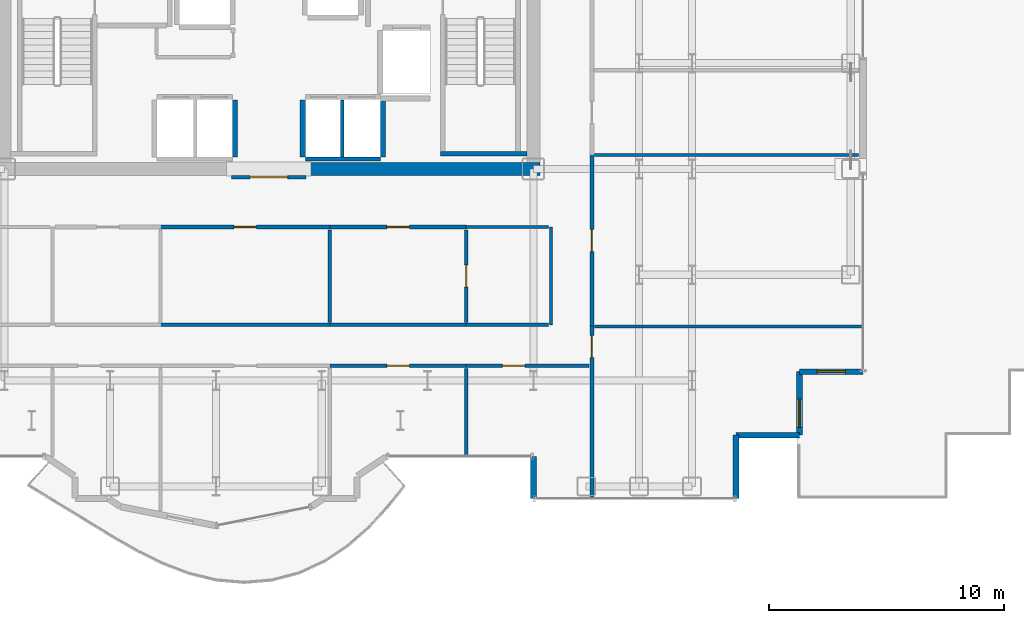
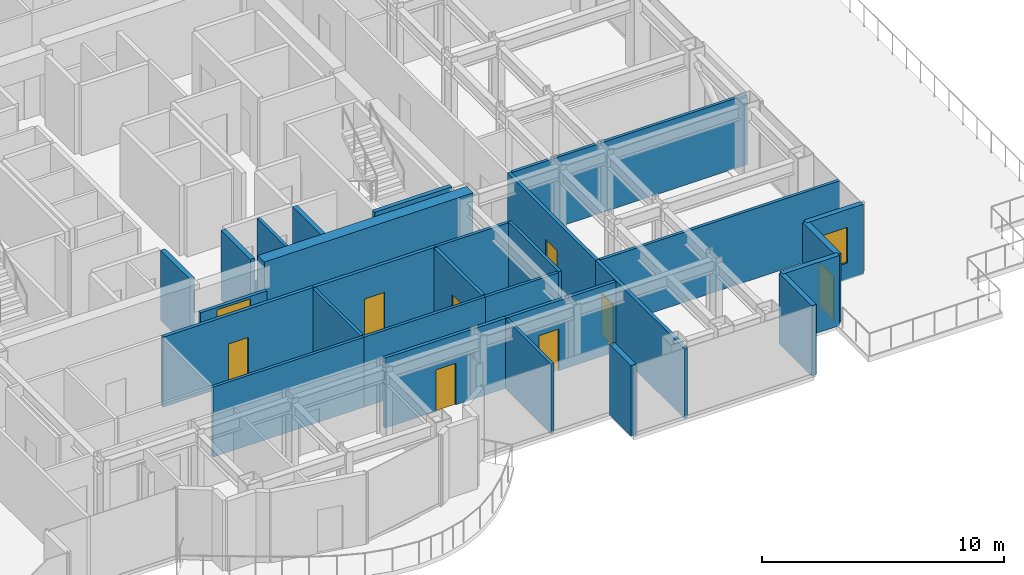
# One storey, part 21 of 27: 29 walls, 9 doors, 1 window, 10 openings.
"""IFC4 building model written with IfcOpenShell, lengths in metres."""

from ifc_helpers import new_model, si_unit, direction, frame, frame_2d, origin, place, context, subcontext, project, spatial, rectangle, extrude, source, transform, mapped, material, layer, layer_set, type_object, element, fill, save


model = new_model("IFC4")

# Units and contexts
model_context = context("Model", 3, precision=1e-05, world=origin(), true_north=direction((0.0, 1.0)))
body_context = subcontext(model_context, "Body", "Model", "MODEL_VIEW")
ifc_project = project(units=[si_unit("LENGTHUNIT", "METRE"), si_unit("AREAUNIT", "SQUARE_METRE"), si_unit("VOLUMEUNIT", "CUBIC_METRE"), si_unit("PLANEANGLEUNIT", "RADIAN"), si_unit("MASSUNIT", "GRAM", prefix="KILO")], contexts=[model_context])

# Site, building, storey
site_placement = place(None, origin())
site = spatial("IfcSite", under=ifc_project, at=site_placement, CompositionType="ELEMENT")
building_placement = place(site_placement, origin())
building = spatial("IfcBuilding", under=site, at=building_placement, Name="Nefas-Gora Pilgrimage Tower", CompositionType="ELEMENT")
storey_placement = place(building_placement, frame((0.0, 0.0, 148.800048828125)))
storey = spatial("IfcBuildingStorey", under=building, at=storey_placement, Name="L36", CompositionType="ELEMENT", Elevation=148.800048828125)

# Walls
ifc_material_1 = material(Name="Concrete C60/75", Category="concrete")
ifc_layer_1 = layer(ifc_material_1, 0.550048828125)
ifc_layer_set_1 = layer_set([ifc_layer_1], Name="Concrete C60/75")
wall_type_1 = type_object("IfcWallType", Name="SW-CORE-550", PredefinedType="SHEAR", material=ifc_layer_set_1)
shared_shape_1 = source(origin(), body_context, "Body", "SweptSolid", [
    extrude(rectangle(XDim=9.974853515625, YDim=0.550048828125, at=frame_2d((4.9873046875, 0.0))), origin(), (0.0, 0.0, 1.0), 3.800048828125),
])
wall_1_placement = place(storey_placement, frame((1.550048828125, -9.0, 0.0), z_axis=(0.0, 0.0, 1.0), x_axis=(1.0, 0.0, 0.0)))
element("IfcWall", 1, at=wall_1_placement, inside=storey, type_object=wall_type_1, Name="L36 Core Shear Wall S-East", PredefinedType="SHEAR", context=body_context, shape_type="MappedRepresentation", body=[
    mapped(shared_shape_1, transform((0.0, 0.0, 0.0), x_axis=(1.0, 0.0, 0.0), y_axis=(0.0, 1.0, 0.0), z_axis=(0.0, 0.0, 1.0), scale=1.0)),
])
ifc_material_2 = material(Name="Precast concrete C40/50", Category="concrete")
ifc_layer_2 = layer(ifc_material_2, 0.260009765625)
ifc_layer_set_2 = layer_set([ifc_layer_2], Name="Precast concrete C40/50")
wall_type_2 = type_object("IfcWallType", Name="EW-PORTAL-260", PredefinedType="SOLIDWALL", material=ifc_layer_set_2)
shared_shape_2 = source(origin(), body_context, "Body", "SweptSolid", [
    extrude(rectangle(XDim=1.800048828125, YDim=0.260009765625, at=frame_2d((0.89990234375, 0.0))), origin(), (0.0, 0.0, 1.0), 3.550048828125),
])
wall_2_placement = place(storey_placement, frame((11.25, -21.219970703125, 0.0), z_axis=(0.0, 0.0, 1.0), x_axis=(0.0, -1.0, 0.0)))
element("IfcWall", 2, at=wall_2_placement, inside=storey, type_object=wall_type_2, Name="L36 Lobe Shoulder Precast Spandrel Pier 5", PredefinedType="SOLIDWALL", context=body_context, shape_type="MappedRepresentation", body=[
    mapped(shared_shape_2, transform((0.0, 0.0, 0.0), x_axis=(1.0, 0.0, 0.0), y_axis=(0.0, 1.0, 0.0), z_axis=(0.0, 0.0, 1.0), scale=1.0)),
])
ifc_material_3 = material(Name="Precast concrete C45/55", Category="concrete")
ifc_layer_3 = layer(ifc_material_3, 0.239990234375)
ifc_layer_set_3 = layer_set([ifc_layer_3], Name="Precast concrete C45/55")
wall_type_3 = type_object("IfcWallType", Name="EW-SERR-240", PredefinedType="SHEAR", material=ifc_layer_set_3)
shared_shape_3 = source(origin(), body_context, "Body", "SweptSolid", [
    extrude(rectangle(XDim=2.699951171875, YDim=0.239990234375, at=frame_2d((1.35009765625, 0.0))), origin(), (0.0, 0.0, 1.0), 3.550048828125),
])
for number, where, z_axis, x_axis, name in (
    (3, (19.8701171875, -23.02001953125, 0.0), (0.0, 0.0, 1.0), (0.0, 1.0, 0.0), "L36 Serrated Corner Shear Pier Wall 6"),
    (4, (19.8701171875, -20.320068359375, 0.0), (0.0, 0.0, 1.0), (1.0, 0.0, 0.0), "L36 Serrated Corner Shear Pier Wall 7"),
):
    element("IfcWall", number, at=place(storey_placement, frame(where, z_axis=z_axis, x_axis=x_axis)), inside=storey, type_object=wall_type_3, Name=name, PredefinedType="SHEAR", context=body_context, shape_type="MappedRepresentation", body=[
        mapped(shared_shape_3, transform((0.0, 0.0, 0.0), x_axis=(1.0, 0.0, 0.0), y_axis=(0.0, 1.0, 0.0), z_axis=(0.0, 0.0, 1.0), scale=1.0)),
    ])

# Wall, opening, window
wall_3_placement = place(storey_placement, frame((22.570068359375, -17.6201171875, 0.0), z_axis=(0.0, 0.0, 1.0), x_axis=(1.0, 0.0, 0.0)))
wall_3 = element("IfcWall", 5, at=wall_3_placement, inside=storey, type_object=wall_type_3, Name="L36 Serrated Corner Shear Pier Wall 9", PredefinedType="SHEAR", context=body_context, shape_type="MappedRepresentation", body=[
    mapped(shared_shape_3, transform((0.0, 0.0, 0.0), x_axis=(1.0, 0.0, 0.0), y_axis=(0.0, 1.0, 0.0), z_axis=(0.0, 0.0, 1.0), scale=1.0)),
])
opening_1_placement = place(wall_3_placement, frame((0.75, 0.0, 0.85009765625)))
opening_1 = element("IfcOpeningElement", 6, at=opening_1_placement, cuts=wall_3, Name="Opening W-V1", PredefinedType="OPENING", context=body_context, shape_type="SweptSolid", body=[
    extrude(rectangle(XDim=1.199951171875, YDim=1.800048828125, at=frame_2d((0.60009765625, 0.89990234375))), frame((0.0, 0.1298828125, 0.0), z_axis=(0.0, -1.0, 0.0), x_axis=(1.0, 0.0, 0.0)), (0.0, 0.0, 1.0), 0.260009765625),
])
ifc_material_4 = material(Name="Dark ceramic-fritted operable aluminium-glass window", Category="aluminium")
window_type = type_object("IfcWindowType", Name="WIN-VENT-1200x1800", PartitioningType="SINGLE_PANEL", PredefinedType="WINDOW", material=ifc_material_4)
shared_shape_4 = source(origin(), body_context, "Body", "SweptSolid", [
    extrude(rectangle(XDim=1.199951171875, YDim=1.800048828125, at=frame_2d((0.60009765625, 0.89990234375))), frame((0.0, 0.030029296875, 0.0), z_axis=(0.0, -1.0, 0.0), x_axis=(1.0, 0.0, 0.0)), (0.0, 0.0, 1.0), 0.06005859375),
])
window_placement = place(opening_1_placement, origin())
window = element("IfcWindow", 7, at=window_placement, inside=storey, type_object=window_type, Name="L36 Operable Parallel-Outswing Window 9", OverallHeight=1.800048828125, OverallWidth=1.199951171875, PartitioningType="SINGLE_PANEL", PredefinedType="WINDOW", context=body_context, shape_type="MappedRepresentation", body=[
    mapped(shared_shape_4, transform((0.0, 0.0, 0.0), x_axis=(1.0, 0.0, 0.0), y_axis=(0.0, 1.0, 0.0), z_axis=(0.0, 0.0, 1.0), scale=1.0)),
])
fill(opening_1, window)

# Wall, opening, door
shared_shape_5 = source(origin(), body_context, "Body", "SweptSolid", [
    extrude(rectangle(XDim=2.699951171875, YDim=0.260009765625, at=frame_2d((1.35009765625, 0.0))), origin(), (0.0, 0.0, 1.0), 3.550048828125),
])
wall_4_placement = place(storey_placement, frame((22.570068359375, -20.320068359375, 0.0), z_axis=(0.0, 0.0, 1.0), x_axis=(0.0, 1.0, 0.0)))
wall_4 = element("IfcWall", 8, at=wall_4_placement, inside=storey, type_object=wall_type_2, Name="L36 Insulated Terrace Portal Wall 8", PredefinedType="SOLIDWALL", context=body_context, shape_type="MappedRepresentation", body=[
    mapped(shared_shape_5, transform((0.0, 0.0, 0.0), x_axis=(1.0, 0.0, 0.0), y_axis=(0.0, 1.0, 0.0), z_axis=(0.0, 0.0, 1.0), scale=1.0)),
])
opening_2_placement = place(wall_4_placement, frame((0.333984375, 0.0, 0.0)))
opening_2 = element("IfcOpeningElement", 9, at=opening_2_placement, cuts=wall_4, Name="Opening ED-S1", PredefinedType="OPENING", context=body_context, shape_type="SweptSolid", body=[
    extrude(rectangle(XDim=1.199951171875, YDim=2.199951171875, at=frame_2d((0.60009765625, 1.10009765625))), frame((0.0, 0.139892578125, 0.0), z_axis=(0.0, -1.0, 0.0), x_axis=(1.0, 0.0, 0.0)), (0.0, 0.0, 1.0), 0.280029296875),
])
ifc_material_5 = material(Name="Heavy-wind glazed aluminium sky-terrace door", Category="aluminium")
door_type_1 = type_object("IfcDoorType", Name="DR-EXT-SKY-1200", OperationType="NOTDEFINED", PredefinedType="DOOR", material=ifc_material_5)
shared_shape_6 = source(origin(), body_context, "Body", "SweptSolid", [
    extrude(rectangle(XDim=1.199951171875, YDim=2.199951171875, at=frame_2d((0.60009765625, 1.10009765625))), frame((0.0, 0.02490234375, 0.0), z_axis=(0.0, -1.0, 0.0), x_axis=(1.0, 0.0, 0.0)), (0.0, 0.0, 1.0), 0.050048828125),
])
door_1_placement = place(opening_2_placement, origin())
door_1 = element("IfcDoor", 10, at=door_1_placement, inside=storey, type_object=door_type_1, Name="L36 Exterior Door (L36 Outdoor Terrace TER-L36-1)", OperationType="SINGLE_SWING_LEFT", OverallHeight=2.199951171875, OverallWidth=1.199951171875, PredefinedType="DOOR", context=body_context, shape_type="MappedRepresentation", body=[
    mapped(shared_shape_6, transform((0.0, 0.0, 0.0), x_axis=(1.0, 0.0, 0.0), y_axis=(0.0, 1.0, 0.0), z_axis=(0.0, 0.0, 1.0), scale=1.0)),
])
fill(opening_2, door_1)

# Walls
ifc_material_6 = material(Name="Concrete C45/55", Category="concrete")
ifc_layer_4 = layer(ifc_material_6, 0.199951171875)
ifc_layer_set_4 = layer_set([ifc_layer_4], Name="Concrete C45/55")
wall_type_4 = type_object("IfcWallType", Name="IW-STAIR-200", PredefinedType="SOLIDWALL", material=ifc_layer_set_4)
shared_shape_7 = source(origin(), body_context, "Body", "SweptSolid", [
    extrude(rectangle(XDim=3.679931640625, YDim=0.199951171875, at=frame_2d((1.83984375, 0.0))), origin(), (0.0, 0.0, 1.0), 3.800048828125),
])
wall_5_placement = place(storey_placement, frame((7.300048828125, -8.35009765625, 0.0), z_axis=(0.0, 0.0, 1.0), x_axis=(1.0, 0.0, 0.0)))
element("IfcWall", 11, at=wall_5_placement, inside=storey, type_object=wall_type_4, Name="L36 Stairwell Shear Wall ST-02-far", PredefinedType="SOLIDWALL", context=body_context, shape_type="MappedRepresentation", body=[
    mapped(shared_shape_7, transform((0.0, 0.0, 0.0), x_axis=(1.0, 0.0, 0.0), y_axis=(0.0, 1.0, 0.0), z_axis=(0.0, 0.0, 1.0), scale=1.0)),
])
ifc_material_7 = material(Name="Gypsum acoustic stud partition")
ifc_layer_5 = layer(ifc_material_7, 0.159912109375)
ifc_layer_set_5 = layer_set([ifc_layer_5], Name="Gypsum acoustic stud partition")
wall_type_5 = type_object("IfcWallType", Name="IW-CORR-160", PredefinedType="PARTITIONING", material=ifc_layer_set_5)
shared_shape_8 = source(origin(), body_context, "Body", "SweptSolid", [
    extrude(rectangle(XDim=3.199951171875, YDim=0.159912109375, at=frame_2d((1.60009765625, 0.0))), origin(), (0.0, 0.0, 1.0), 2.425048828125),
])
wall_6_placement = place(storey_placement, frame((1.550048828125, -8.580078125, 0.0), z_axis=(0.0, 0.0, 1.0), x_axis=(1.0, 0.0, 0.0)))
element("IfcWall", 12, at=wall_6_placement, inside=storey, type_object=wall_type_5, Name="L36 Hoistway Wall PL2-E-S", PredefinedType="PARTITIONING", context=body_context, shape_type="MappedRepresentation", body=[
    mapped(shared_shape_8, transform((0.0, 0.0, 0.0), x_axis=(1.0, 0.0, 0.0), y_axis=(0.0, 1.0, 0.0), z_axis=(0.0, 0.0, 1.0), scale=1.0)),
])
ifc_material_8 = material(Name="Concrete C40/50", Category="concrete")
ifc_layer_6 = layer(ifc_material_8, 0.219970703125)
ifc_layer_set_6 = layer_set([ifc_layer_6], Name="Concrete C40/50")
wall_type_6 = type_object("IfcWallType", Name="IW-SHAFT-220", PredefinedType="SOLIDWALL", material=ifc_layer_set_6)
shared_shape_9 = source(origin(), body_context, "Body", "SweptSolid", [
    extrude(rectangle(XDim=2.429931640625, YDim=0.219970703125, at=frame_2d((1.21484375, 0.0))), origin(), (0.0, 0.0, 1.0), 3.534912109375),
])
for number, where, z_axis, x_axis, name in (
    (13, (-1.43994140625, -8.489990234375, 0.0), (0.0, 0.0, 1.0), (0.0, 1.0, 0.0), "L36 Hoistway Wall PL2-W-E"),
    (14, (1.43994140625, -6.06005859375, 0.0), (0.0, 0.0, 1.0), (0.0, -1.0, 0.0), "L36 Hoistway Wall PL2-E-W"),
    (15, (4.860107421875, -8.489990234375, 0.0), (0.0, 0.0, 1.0), (0.0, 1.0, 0.0), "L36 Hoistway Wall PL2-E-E"),
):
    element("IfcWall", number, at=place(storey_placement, frame(where, z_axis=z_axis, x_axis=x_axis)), inside=storey, type_object=wall_type_6, Name=name, PredefinedType="SOLIDWALL", context=body_context, shape_type="MappedRepresentation", body=[
        mapped(shared_shape_9, transform((0.0, 0.0, 0.0), x_axis=(1.0, 0.0, 0.0), y_axis=(0.0, 1.0, 0.0), z_axis=(0.0, 0.0, 1.0), scale=1.0)),
    ])
ifc_material_9 = material(Name="Gypsum twin-stud partition")
ifc_layer_7 = layer(ifc_material_9, 0.139892578125)
ifc_layer_set_7 = layer_set([ifc_layer_7], Name="Gypsum twin-stud partition")
wall_type_7 = type_object("IfcWallType", Name="IW-UNIT-140", PredefinedType="PARTITIONING", material=ifc_layer_set_7)
shared_shape_10 = source(origin(), body_context, "Body", "SweptSolid", [
    extrude(rectangle(XDim=2.429931640625, YDim=0.139892578125, at=frame_2d((1.21484375, 0.0))), origin(), (0.0, 0.0, 1.0), 3.534912109375),
])
wall_7_placement = place(storey_placement, frame((3.125, -8.489990234375, 0.0), z_axis=(0.0, 0.0, 1.0), x_axis=(0.0, 1.0, 0.0)))
element("IfcWall", 16, at=wall_7_placement, inside=storey, type_object=wall_type_7, Name="L36 Hoistway Wall PL2-E-DIV", PredefinedType="PARTITIONING", context=body_context, shape_type="MappedRepresentation", body=[
    mapped(shared_shape_10, transform((0.0, 0.0, 0.0), x_axis=(1.0, 0.0, 0.0), y_axis=(0.0, 1.0, 0.0), z_axis=(0.0, 0.0, 1.0), scale=1.0)),
])

# Wall, opening, door
shared_shape_11 = source(origin(), body_context, "Body", "SweptSolid", [
    extrude(rectangle(XDim=5.81005859375, YDim=0.159912109375, at=frame_2d((2.905029296875, 0.0))), origin(), (0.0, 0.0, 1.0), 3.534912109375),
])
wall_8_placement = place(storey_placement, frame((2.594970703125, -17.3701171875, 0.0), z_axis=(0.0, 0.0, 1.0), x_axis=(1.0, 0.0, 0.0)))
wall_8 = element("IfcWall", 17, at=wall_8_placement, inside=storey, type_object=wall_type_5, Name="L36 Pilgrim Contemplative Lounge Partition Wall 79", PredefinedType="PARTITIONING", context=body_context, shape_type="MappedRepresentation", body=[
    mapped(shared_shape_11, transform((0.0, 0.0, 0.0), x_axis=(1.0, 0.0, 0.0), y_axis=(0.0, 1.0, 0.0), z_axis=(0.0, 0.0, 1.0), scale=1.0)),
])
opening_3_placement = place(wall_8_placement, frame((2.429931640625, 0.0, 0.0)))
opening_3 = element("IfcOpeningElement", 18, at=opening_3_placement, cuts=wall_8, Name="Opening ID-GR1", PredefinedType="OPENING", context=body_context, shape_type="SweptSolid", body=[
    extrude(rectangle(XDim=0.949951171875, YDim=2.10009765625, at=frame_2d((0.47509765625, 1.050048828125))), frame((0.0, 0.08984375, 0.0), z_axis=(0.0, -1.0, 0.0), x_axis=(1.0, 0.0, 0.0)), (0.0, 0.0, 1.0), 0.179931640625),
])
ifc_material_10 = material(Name="Solid core oak fire-rated guest entrance door")
door_type_2 = type_object("IfcDoorType", Name="DR-INT-GUEST-950", OperationType="NOTDEFINED", PredefinedType="DOOR", material=ifc_material_10)
shared_shape_12 = source(origin(), body_context, "Body", "SweptSolid", [
    extrude(rectangle(XDim=0.949951171875, YDim=2.10009765625, at=frame_2d((0.47509765625, 1.050048828125))), frame((0.0, 0.02490234375, 0.0), z_axis=(0.0, -1.0, 0.0), x_axis=(1.0, 0.0, 0.0)), (0.0, 0.0, 1.0), 0.050048828125),
])
door_2_placement = place(opening_3_placement, origin())
door_2 = element("IfcDoor", 19, at=door_2_placement, inside=storey, type_object=door_type_2, Name="L36 Pilgrim Contemplative Lounge Door 34", OperationType="SINGLE_SWING_RIGHT", OverallHeight=2.10009765625, OverallWidth=0.949951171875, PredefinedType="DOOR", context=body_context, shape_type="MappedRepresentation", body=[
    mapped(shared_shape_12, transform((0.0, 0.0, 0.0), x_axis=(1.0, 0.0, 0.0), y_axis=(0.0, 1.0, 0.0), z_axis=(0.0, 0.0, 1.0), scale=1.0)),
])
fill(opening_3, door_2)

wall_9_placement = place(storey_placement, frame((2.594970703125, -11.469970703125, 0.0), z_axis=(0.0, 0.0, 1.0), x_axis=(1.0, 0.0, 0.0)))
wall_9 = element("IfcWall", 20, at=wall_9_placement, inside=storey, type_object=wall_type_5, Name="L36 Pilgrim Contemplative Lounge Partition Wall 81", PredefinedType="PARTITIONING", context=body_context, shape_type="MappedRepresentation", body=[
    mapped(shared_shape_11, transform((0.0, 0.0, 0.0), x_axis=(1.0, 0.0, 0.0), y_axis=(0.0, 1.0, 0.0), z_axis=(0.0, 0.0, 1.0), scale=1.0)),
])
opening_4_placement = place(wall_9_placement, frame((2.429931640625, 0.0, 0.0)))
opening_4 = element("IfcOpeningElement", 21, at=opening_4_placement, cuts=wall_9, Name="Opening ID-GR1", PredefinedType="OPENING", context=body_context, shape_type="SweptSolid", body=[
    extrude(rectangle(XDim=0.949951171875, YDim=2.10009765625, at=frame_2d((0.47509765625, 1.050048828125))), frame((0.0, 0.08984375, 0.0), z_axis=(0.0, -1.0, 0.0), x_axis=(1.0, 0.0, 0.0)), (0.0, 0.0, 1.0), 0.179931640625),
])
door_3_placement = place(opening_4_placement, origin())
door_3 = element("IfcDoor", 22, at=door_3_placement, inside=storey, type_object=door_type_2, Name="L36 Pilgrim Contemplative Lounge Door 35", OperationType="SINGLE_SWING_LEFT", OverallHeight=2.10009765625, OverallWidth=0.949951171875, PredefinedType="DOOR", context=body_context, shape_type="MappedRepresentation", body=[
    mapped(shared_shape_12, transform((0.0, 0.0, 0.0), x_axis=(1.0, 0.0, 0.0), y_axis=(0.0, 1.0, 0.0), z_axis=(0.0, 0.0, 1.0), scale=1.0)),
])
fill(opening_4, door_3)

shared_shape_13 = source(origin(), body_context, "Body", "SweptSolid", [
    extrude(rectangle(XDim=5.22509765625, YDim=0.159912109375, at=frame_2d((2.612548828125, 0.0))), origin(), (0.0, 0.0, 1.0), 3.534912109375),
])
wall_10_placement = place(storey_placement, frame((8.39501953125, -17.3701171875, 0.0), z_axis=(0.0, 0.0, 1.0), x_axis=(1.0, 0.0, 0.0)))
wall_10 = element("IfcWall", 23, at=wall_10_placement, inside=storey, type_object=wall_type_5, Name="L36 Pilgrim Contemplative Lounge Partition Wall 84", PredefinedType="PARTITIONING", context=body_context, shape_type="MappedRepresentation", body=[
    mapped(shared_shape_13, transform((0.0, 0.0, 0.0), x_axis=(1.0, 0.0, 0.0), y_axis=(0.0, 1.0, 0.0), z_axis=(0.0, 0.0, 1.0), scale=1.0)),
])
opening_5_placement = place(wall_10_placement, frame((1.543212890625, 0.0, 0.0)))
opening_5 = element("IfcOpeningElement", 24, at=opening_5_placement, cuts=wall_10, Name="Opening ID-GR1", PredefinedType="OPENING", context=body_context, shape_type="SweptSolid", body=[
    extrude(rectangle(XDim=0.949951171875, YDim=2.10009765625, at=frame_2d((0.47509765625, 1.050048828125))), frame((0.0, 0.08984375, 0.0), z_axis=(0.0, -1.0, 0.0), x_axis=(1.0, 0.0, 0.0)), (0.0, 0.0, 1.0), 0.179931640625),
])
door_4_placement = place(opening_5_placement, origin())
door_4 = element("IfcDoor", 25, at=door_4_placement, inside=storey, type_object=door_type_2, Name="L36 Pilgrim Contemplative Lounge Door 37", OperationType="SINGLE_SWING_LEFT", OverallHeight=2.10009765625, OverallWidth=0.949951171875, PredefinedType="DOOR", context=body_context, shape_type="MappedRepresentation", body=[
    mapped(shared_shape_12, transform((0.0, 0.0, 0.0), x_axis=(1.0, 0.0, 0.0), y_axis=(0.0, 1.0, 0.0), z_axis=(0.0, 0.0, 1.0), scale=1.0)),
])
fill(opening_5, door_4)

shared_shape_14 = source(origin(), body_context, "Body", "SweptSolid", [
    extrude(rectangle(XDim=3.16015625, YDim=0.159912109375, at=frame_2d((1.580078125, 0.0))), origin(), (0.0, 0.0, 1.0), 2.425048828125),
])
wall_11_placement = place(storey_placement, frame((-1.580078125, -9.35009765625, 0.0), z_axis=(0.0, 0.0, 1.0), x_axis=(1.0, 0.0, 0.0)))
wall_11 = element("IfcWall", 26, at=wall_11_placement, inside=storey, type_object=wall_type_5, Name="L36 Central Lift Lobby South Portal Wall 14", PredefinedType="PARTITIONING", context=body_context, shape_type="MappedRepresentation", body=[
    mapped(shared_shape_14, transform((0.0, 0.0, 0.0), x_axis=(1.0, 0.0, 0.0), y_axis=(0.0, 1.0, 0.0), z_axis=(0.0, 0.0, 1.0), scale=1.0)),
])
opening_6_placement = place(wall_11_placement, frame((0.780029296875, 0.0, 0.0)))
opening_6 = element("IfcOpeningElement", 27, at=opening_6_placement, cuts=wall_11, Name="Opening ID-HL1", PredefinedType="OPENING", context=body_context, shape_type="SweptSolid", body=[
    extrude(rectangle(XDim=1.60009765625, YDim=2.300048828125, at=frame_2d((0.800048828125, 1.14990234375))), frame((0.0, 0.08984375, 0.0), z_axis=(0.0, -1.0, 0.0), x_axis=(1.0, 0.0, 0.0)), (0.0, 0.0, 1.0), 0.179931640625),
])
ifc_material_11 = material(Name="Double acoustic timber assembly hall door", Category="wood")
door_type_3 = type_object("IfcDoorType", Name="DR-INT-HALL-1600", OperationType="DOUBLE_DOOR_SINGLE_SWING", PredefinedType="DOOR", material=ifc_material_11)
shared_shape_15 = source(origin(), body_context, "Body", "SweptSolid", [
    extrude(rectangle(XDim=1.60009765625, YDim=2.300048828125, at=frame_2d((0.800048828125, 1.14990234375))), frame((0.0, 0.02490234375, 0.0), z_axis=(0.0, -1.0, 0.0), x_axis=(1.0, 0.0, 0.0)), (0.0, 0.0, 1.0), 0.050048828125),
])
door_5_placement = place(opening_6_placement, origin())
door_5 = element("IfcDoor", 28, at=door_5_placement, inside=storey, type_object=door_type_3, Name="L36 Central Lift Lobby South Portal Door 5", OperationType="DOUBLE_DOOR_SINGLE_SWING", OverallHeight=2.300048828125, OverallWidth=1.60009765625, PredefinedType="DOOR", context=body_context, shape_type="MappedRepresentation", body=[
    mapped(shared_shape_15, transform((0.0, 0.0, 0.0), x_axis=(1.0, 0.0, 0.0), y_axis=(0.0, 1.0, 0.0), z_axis=(0.0, 0.0, 1.0), scale=1.0)),
])
fill(opening_6, door_5)

shared_shape_16 = source(origin(), body_context, "Body", "SweptSolid", [
    extrude(rectangle(XDim=7.3525390625, YDim=0.159912109375, at=frame_2d((3.67626953125, 0.0))), origin(), (0.0, 0.0, 1.0), 3.534912109375),
])
wall_12_placement = place(storey_placement, frame((13.739990234375, -23.0400390625, 0.0), z_axis=(0.0, 0.0, 1.0), x_axis=(0.0, 1.0, 0.0)))
wall_12 = element("IfcWall", 29, at=wall_12_placement, inside=storey, type_object=wall_type_5, Name="L36 Pilgrim Contemplative Lounge Partition Wall 29", PredefinedType="PARTITIONING", context=body_context, shape_type="MappedRepresentation", body=[
    mapped(shared_shape_16, transform((0.0, 0.0, 0.0), x_axis=(1.0, 0.0, 0.0), y_axis=(0.0, 1.0, 0.0), z_axis=(0.0, 0.0, 1.0), scale=1.0)),
])
opening_7_placement = place(wall_12_placement, frame((6.01611328125, 0.0, 0.0)))
opening_7 = element("IfcOpeningElement", 30, at=opening_7_placement, cuts=wall_12, Name="Opening ID-GR1", PredefinedType="OPENING", context=body_context, shape_type="SweptSolid", body=[
    extrude(rectangle(XDim=0.949951171875, YDim=2.10009765625, at=frame_2d((0.47509765625, 1.050048828125))), frame((0.0, 0.08984375, 0.0), z_axis=(0.0, -1.0, 0.0), x_axis=(1.0, 0.0, 0.0)), (0.0, 0.0, 1.0), 0.179931640625),
])
door_6_placement = place(opening_7_placement, origin())
door_6 = element("IfcDoor", 31, at=door_6_placement, inside=storey, type_object=door_type_2, Name="L36 Pilgrim Contemplative Lounge Door 12", OperationType="SINGLE_SWING_RIGHT", OverallHeight=2.10009765625, OverallWidth=0.949951171875, PredefinedType="DOOR", context=body_context, shape_type="MappedRepresentation", body=[
    mapped(shared_shape_12, transform((0.0, 0.0, 0.0), x_axis=(1.0, 0.0, 0.0), y_axis=(0.0, 1.0, 0.0), z_axis=(0.0, 0.0, 1.0), scale=1.0)),
])
fill(opening_7, door_6)

# Wall
shared_shape_17 = source(origin(), body_context, "Body", "SweptSolid", [
    extrude(rectangle(XDim=11.429931640625, YDim=0.139892578125, at=frame_2d((5.71484375, 0.0))), origin(), (0.0, 0.0, 1.0), 3.534912109375),
])
wall_13_placement = place(storey_placement, frame((13.860107421875, -15.697509765625, 0.0), z_axis=(0.0, 0.0, 1.0), x_axis=(1.0, 0.0, 0.0)))
element("IfcWall", 32, at=wall_13_placement, inside=storey, type_object=wall_type_7, Name="L36 Pilgrim Contemplative Lounge Partition Wall 30", PredefinedType="PARTITIONING", context=body_context, shape_type="MappedRepresentation", body=[
    mapped(shared_shape_17, transform((0.0, 0.0, 0.0), x_axis=(1.0, 0.0, 0.0), y_axis=(0.0, 1.0, 0.0), z_axis=(0.0, 0.0, 1.0), scale=1.0)),
])

# Wall, opening, door
shared_shape_18 = source(origin(), body_context, "Body", "SweptSolid", [
    extrude(rectangle(XDim=7.29248046875, YDim=0.159912109375, at=frame_2d((3.646240234375, 0.0))), origin(), (0.0, 0.0, 1.0), 3.534912109375),
])
wall_14_placement = place(storey_placement, frame((13.739990234375, -15.6875, 0.0), z_axis=(0.0, 0.0, 1.0), x_axis=(0.0, 1.0, 0.0)))
wall_14 = element("IfcWall", 33, at=wall_14_placement, inside=storey, type_object=wall_type_5, Name="L36 Pilgrim Contemplative Lounge Partition Wall 31", PredefinedType="PARTITIONING", context=body_context, shape_type="MappedRepresentation", body=[
    mapped(shared_shape_18, transform((0.0, 0.0, 0.0), x_axis=(1.0, 0.0, 0.0), y_axis=(0.0, 1.0, 0.0), z_axis=(0.0, 0.0, 1.0), scale=1.0)),
])
opening_8_placement = place(wall_14_placement, frame((3.17138671875, 0.0, 0.0)))
opening_8 = element("IfcOpeningElement", 34, at=opening_8_placement, cuts=wall_14, Name="Opening ID-GR1", PredefinedType="OPENING", context=body_context, shape_type="SweptSolid", body=[
    extrude(rectangle(XDim=0.949951171875, YDim=2.10009765625, at=frame_2d((0.47509765625, 1.050048828125))), frame((0.0, 0.08984375, 0.0), z_axis=(0.0, -1.0, 0.0), x_axis=(1.0, 0.0, 0.0)), (0.0, 0.0, 1.0), 0.179931640625),
])
door_7_placement = place(opening_8_placement, origin())
door_7 = element("IfcDoor", 35, at=door_7_placement, inside=storey, type_object=door_type_2, Name="L36 Pilgrim Contemplative Lounge Door 13", OperationType="SINGLE_SWING_LEFT", OverallHeight=2.10009765625, OverallWidth=0.949951171875, PredefinedType="DOOR", context=body_context, shape_type="MappedRepresentation", body=[
    mapped(shared_shape_12, transform((0.0, 0.0, 0.0), x_axis=(1.0, 0.0, 0.0), y_axis=(0.0, 1.0, 0.0), z_axis=(0.0, 0.0, 1.0), scale=1.0)),
])
fill(opening_8, door_7)

# Walls
shared_shape_19 = source(origin(), body_context, "Body", "SweptSolid", [
    extrude(rectangle(XDim=11.219970703125, YDim=0.139892578125, at=frame_2d((5.60986328125, 0.0))), origin(), (0.0, 0.0, 1.0), 3.534912109375),
])
wall_15_placement = place(storey_placement, frame((13.860107421875, -8.405029296875, 0.0), z_axis=(0.0, 0.0, 1.0), x_axis=(1.0, 0.0, 0.0)))
element("IfcWall", 36, at=wall_15_placement, inside=storey, type_object=wall_type_7, Name="L36 Pilgrim Contemplative Lounge Partition Wall 32", PredefinedType="PARTITIONING", context=body_context, shape_type="MappedRepresentation", body=[
    mapped(shared_shape_19, transform((0.0, 0.0, 0.0), x_axis=(1.0, 0.0, 0.0), y_axis=(0.0, 1.0, 0.0), z_axis=(0.0, 0.0, 1.0), scale=1.0)),
])
shared_shape_20 = source(origin(), body_context, "Body", "SweptSolid", [
    extrude(rectangle(XDim=3.929931640625, YDim=0.139892578125, at=frame_2d((1.96484375, 0.0))), origin(), (0.0, 0.0, 1.0), 3.534912109375),
])
wall_16_placement = place(storey_placement, frame((2.594970703125, -15.52001953125, 0.0), z_axis=(0.0, 0.0, 1.0), x_axis=(0.0, 1.0, 0.0)))
element("IfcWall", 37, at=wall_16_placement, inside=storey, type_object=wall_type_7, Name="L36 Pilgrim Contemplative Lounge Partition Wall 78", PredefinedType="PARTITIONING", context=body_context, shape_type="MappedRepresentation", body=[
    mapped(shared_shape_20, transform((0.0, 0.0, 0.0), x_axis=(1.0, 0.0, 0.0), y_axis=(0.0, 1.0, 0.0), z_axis=(0.0, 0.0, 1.0), scale=1.0)),
])
shared_shape_21 = source(origin(), body_context, "Body", "SweptSolid", [
    extrude(rectangle(XDim=3.75, YDim=0.139892578125, at=frame_2d((1.875, 0.0))), origin(), (0.0, 0.0, 1.0), 3.534912109375),
])
wall_17_placement = place(storey_placement, frame((8.39501953125, -21.239990234375, 0.0), z_axis=(0.0, 0.0, 1.0), x_axis=(0.0, 1.0, 0.0)))
element("IfcWall", 38, at=wall_17_placement, inside=storey, type_object=wall_type_7, Name="L36 Pilgrim Contemplative Lounge Partition Wall 80", PredefinedType="PARTITIONING", context=body_context, shape_type="MappedRepresentation", body=[
    mapped(shared_shape_21, transform((0.0, 0.0, 0.0), x_axis=(1.0, 0.0, 0.0), y_axis=(0.0, 1.0, 0.0), z_axis=(0.0, 0.0, 1.0), scale=1.0)),
])
shared_shape_22 = source(origin(), body_context, "Body", "SweptSolid", [
    extrude(rectangle(XDim=5.81005859375, YDim=0.139892578125, at=frame_2d((2.905029296875, 0.0))), origin(), (0.0, 0.0, 1.0), 3.534912109375),
])
wall_18_placement = place(storey_placement, frame((2.594970703125, -15.6298828125, 0.0), z_axis=(0.0, 0.0, 1.0), x_axis=(1.0, 0.0, 0.0)))
element("IfcWall", 39, at=wall_18_placement, inside=storey, type_object=wall_type_7, Name="L36 Pilgrim Contemplative Lounge Partition Wall 82", PredefinedType="PARTITIONING", context=body_context, shape_type="MappedRepresentation", body=[
    mapped(shared_shape_22, transform((0.0, 0.0, 0.0), x_axis=(1.0, 0.0, 0.0), y_axis=(0.0, 1.0, 0.0), z_axis=(0.0, 0.0, 1.0), scale=1.0)),
])

# Wall, opening, door
shared_shape_23 = source(origin(), body_context, "Body", "SweptSolid", [
    extrude(rectangle(XDim=3.929931640625, YDim=0.159912109375, at=frame_2d((1.96484375, 0.0))), origin(), (0.0, 0.0, 1.0), 3.534912109375),
])
wall_19_placement = place(storey_placement, frame((8.39501953125, -15.52001953125, 0.0), z_axis=(0.0, 0.0, 1.0), x_axis=(0.0, 1.0, 0.0)))
wall_19 = element("IfcWall", 40, at=wall_19_placement, inside=storey, type_object=wall_type_5, Name="L36 Pilgrim Contemplative Lounge Partition Wall 83", PredefinedType="PARTITIONING", context=body_context, shape_type="MappedRepresentation", body=[
    mapped(shared_shape_23, transform((0.0, 0.0, 0.0), x_axis=(1.0, 0.0, 0.0), y_axis=(0.0, 1.0, 0.0), z_axis=(0.0, 0.0, 1.0), scale=1.0)),
])
opening_9_placement = place(wall_19_placement, frame((1.489990234375, 0.0, 0.0)))
opening_9 = element("IfcOpeningElement", 41, at=opening_9_placement, cuts=wall_19, Name="Opening ID-GR1", PredefinedType="OPENING", context=body_context, shape_type="SweptSolid", body=[
    extrude(rectangle(XDim=0.949951171875, YDim=2.10009765625, at=frame_2d((0.47509765625, 1.050048828125))), frame((0.0, 0.08984375, 0.0), z_axis=(0.0, -1.0, 0.0), x_axis=(1.0, 0.0, 0.0)), (0.0, 0.0, 1.0), 0.179931640625),
])
door_8_placement = place(opening_9_placement, origin())
door_8 = element("IfcDoor", 42, at=door_8_placement, inside=storey, type_object=door_type_2, Name="L36 Pilgrim Contemplative Lounge Door 36", OperationType="SINGLE_SWING_RIGHT", OverallHeight=2.10009765625, OverallWidth=0.949951171875, PredefinedType="DOOR", context=body_context, shape_type="MappedRepresentation", body=[
    mapped(shared_shape_12, transform((0.0, 0.0, 0.0), x_axis=(1.0, 0.0, 0.0), y_axis=(0.0, 1.0, 0.0), z_axis=(0.0, 0.0, 1.0), scale=1.0)),
])
fill(opening_9, door_8)

# Wall
shared_shape_24 = source(origin(), body_context, "Body", "SweptSolid", [
    extrude(rectangle(XDim=4.179931640625, YDim=0.139892578125, at=frame_2d((2.08984375, 0.0))), origin(), (0.0, 0.0, 1.0), 3.534912109375),
])
wall_20_placement = place(storey_placement, frame((12.0, -15.639892578125, 0.0), z_axis=(0.0, 0.0, 1.0), x_axis=(0.0, 1.0, 0.0)))
element("IfcWall", 43, at=wall_20_placement, inside=storey, type_object=wall_type_7, Name="L36 Pilgrim Contemplative Lounge Partition Wall 85", PredefinedType="PARTITIONING", context=body_context, shape_type="MappedRepresentation", body=[
    mapped(shared_shape_24, transform((0.0, 0.0, 0.0), x_axis=(1.0, 0.0, 0.0), y_axis=(0.0, 1.0, 0.0), z_axis=(0.0, 0.0, 1.0), scale=1.0)),
])

# Wall, opening, door
shared_shape_25 = source(origin(), body_context, "Body", "SweptSolid", [
    extrude(rectangle(XDim=7.2099609375, YDim=0.159912109375, at=frame_2d((3.60498046875, 0.0))), origin(), (0.0, 0.0, 1.0), 3.534912109375),
])
wall_21_placement = place(storey_placement, frame((-4.60498046875, -11.469970703125, 0.0), z_axis=(0.0, 0.0, 1.0), x_axis=(1.0, 0.0, 0.0)))
wall_21 = element("IfcWall", 44, at=wall_21_placement, inside=storey, type_object=wall_type_5, Name="L36 Pilgrim Contemplative Lounge Partition Wall 76", PredefinedType="PARTITIONING", context=body_context, shape_type="MappedRepresentation", body=[
    mapped(shared_shape_25, transform((0.0, 0.0, 0.0), x_axis=(1.0, 0.0, 0.0), y_axis=(0.0, 1.0, 0.0), z_axis=(0.0, 0.0, 1.0), scale=1.0)),
])
opening_10_placement = place(wall_21_placement, frame((3.1298828125, 0.0, 0.0)))
opening_10 = element("IfcOpeningElement", 45, at=opening_10_placement, cuts=wall_21, Name="Opening ID-GR1", PredefinedType="OPENING", context=body_context, shape_type="SweptSolid", body=[
    extrude(rectangle(XDim=0.949951171875, YDim=2.10009765625, at=frame_2d((0.47509765625, 1.050048828125))), frame((0.0, 0.08984375, 0.0), z_axis=(0.0, -1.0, 0.0), x_axis=(1.0, 0.0, 0.0)), (0.0, 0.0, 1.0), 0.179931640625),
])
door_9_placement = place(opening_10_placement, origin())
door_9 = element("IfcDoor", 46, at=door_9_placement, inside=storey, type_object=door_type_2, Name="L36 Pilgrim Contemplative Lounge Door 33", OperationType="SINGLE_SWING_LEFT", OverallHeight=2.10009765625, OverallWidth=0.949951171875, PredefinedType="DOOR", context=body_context, shape_type="MappedRepresentation", body=[
    mapped(shared_shape_12, transform((0.0, 0.0, 0.0), x_axis=(1.0, 0.0, 0.0), y_axis=(0.0, 1.0, 0.0), z_axis=(0.0, 0.0, 1.0), scale=1.0)),
])
fill(opening_10, door_9)

# Walls
shared_shape_26 = source(origin(), body_context, "Body", "SweptSolid", [
    extrude(rectangle(XDim=7.2099609375, YDim=0.139892578125, at=frame_2d((3.60498046875, 0.0))), origin(), (0.0, 0.0, 1.0), 3.534912109375),
])
wall_22_placement = place(storey_placement, frame((-4.60498046875, -15.6298828125, 0.0), z_axis=(0.0, 0.0, 1.0), x_axis=(1.0, 0.0, 0.0)))
element("IfcWall", 47, at=wall_22_placement, inside=storey, type_object=wall_type_7, Name="L36 Pilgrim Contemplative Lounge Partition Wall 77", PredefinedType="PARTITIONING", context=body_context, shape_type="MappedRepresentation", body=[
    mapped(shared_shape_26, transform((0.0, 0.0, 0.0), x_axis=(1.0, 0.0, 0.0), y_axis=(0.0, 1.0, 0.0), z_axis=(0.0, 0.0, 1.0), scale=1.0)),
])
shared_shape_27 = source(origin(), body_context, "Body", "SweptSolid", [
    extrude(rectangle(XDim=3.494873046875, YDim=0.139892578125, at=frame_2d((1.74755859375, 0.0))), origin(), (0.0, 0.0, 1.0), 3.534912109375),
])
for number, where, z_axis, x_axis, name in (
    (48, (8.39501953125, -11.469970703125, 0.0), (0.0, 0.0, 1.0), (1.0, 0.0, 0.0), "L36 Pilgrim Contemplative Lounge Partition Wall 86"),
    (49, (8.39501953125, -15.6298828125, 0.0), (0.0, 0.0, 1.0), (1.0, 0.0, 0.0), "L36 Pilgrim Contemplative Lounge Partition Wall 87"),
):
    element("IfcWall", number, at=place(storey_placement, frame(where, z_axis=z_axis, x_axis=x_axis)), inside=storey, type_object=wall_type_7, Name=name, PredefinedType="PARTITIONING", context=body_context, shape_type="MappedRepresentation", body=[
        mapped(shared_shape_27, transform((0.0, 0.0, 0.0), x_axis=(1.0, 0.0, 0.0), y_axis=(0.0, 1.0, 0.0), z_axis=(0.0, 0.0, 1.0), scale=1.0)),
    ])

save(model, "model.ifc")
